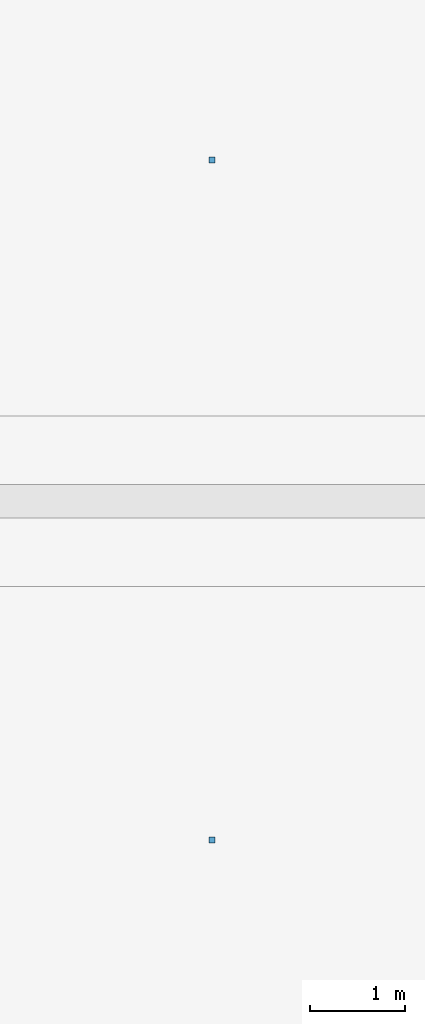
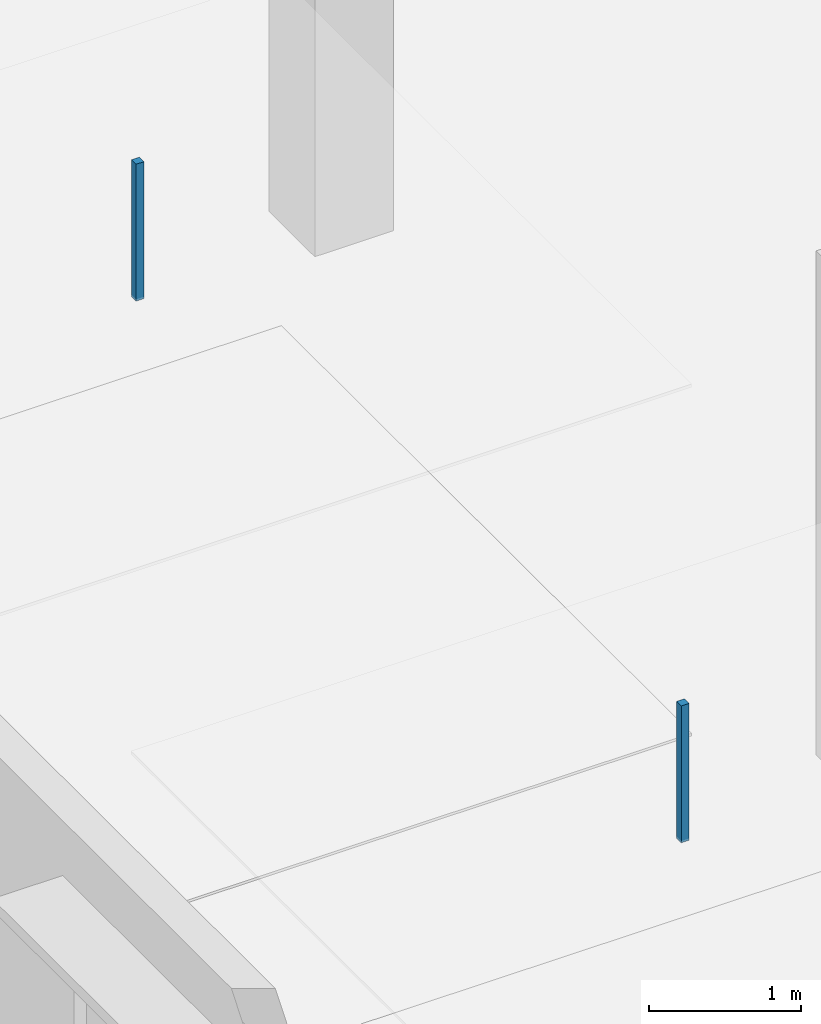
# One storey, part 22 of 26: 2 discrete accessories.
"""IFC4 building model written with IfcOpenShell, lengths in metres."""

from ifc_helpers import new_model, si_unit, direction, frame, origin, origin_2d, place, context, subcontext, project, spatial, rectangle, extrude, material, type_object, element, save


model = new_model("IFC4")

# Units and contexts
model_context = context("Model", 3, precision=1e-05, world=origin(), true_north=direction((0.0, 1.0)))
body_context = subcontext(model_context, "Body", "Model", "MODEL_VIEW")
ifc_project = project(units=[si_unit("LENGTHUNIT", "METRE"), si_unit("AREAUNIT", "SQUARE_METRE"), si_unit("VOLUMEUNIT", "CUBIC_METRE"), si_unit("PLANEANGLEUNIT", "RADIAN"), si_unit("MASSUNIT", "GRAM", prefix="KILO")], contexts=[model_context])

# Site, building, storey
site_placement = place(None, origin())
site = spatial("IfcSite", under=ifc_project, at=site_placement, CompositionType="ELEMENT")
building_placement = place(site_placement, origin())
building = spatial("IfcBuilding", under=site, at=building_placement, Name="Kangsadwip Square Police Headquarters", CompositionType="ELEMENT")
storey_placement = place(building_placement, frame((0.0, 0.0, 25.64990234375)))
storey = spatial("IfcBuildingStorey", under=building, at=storey_placement, Name="L06", CompositionType="ELEMENT", Elevation=25.64990234375)

# Discrete accessories
ifc_material = material(Name="Structural steel IS 2062 E350 (Grade 350, 350 MPa)", Category="steel")
discrete_accessory_type = type_object("IfcDiscreteAccessoryType", Name="VeilOutriggerBracket", PredefinedType="BRACKET", material=ifc_material)
for number, where, z_axis, x_axis, name in (
    (1, (3.64990234375, 75.625, 2.81005859375), (0.0, 0.0, 1.0), (1.0, 0.0, 0.0), "Ceiling Suspension Hanger L06-154"),
    (2, (3.64990234375, 82.800048828125, 2.81005859375), (0.0, 0.0, 1.0), (1.0, 0.0, 0.0), "Ceiling Suspension Hanger L06-155"),
):
    element("IfcDiscreteAccessory", number, at=place(storey_placement, frame(where, z_axis=z_axis, x_axis=x_axis)), inside=storey, type_object=discrete_accessory_type, Name=name, PredefinedType="BRACKET", context=body_context, shape_type="SweptSolid", body=[
        extrude(rectangle(XDim=0.06005859375, YDim=0.06005859375, at=origin_2d()), origin(), (0.0, 0.0, 1.0), 1.10009765625),
    ])

save(model, "model.ifc")
